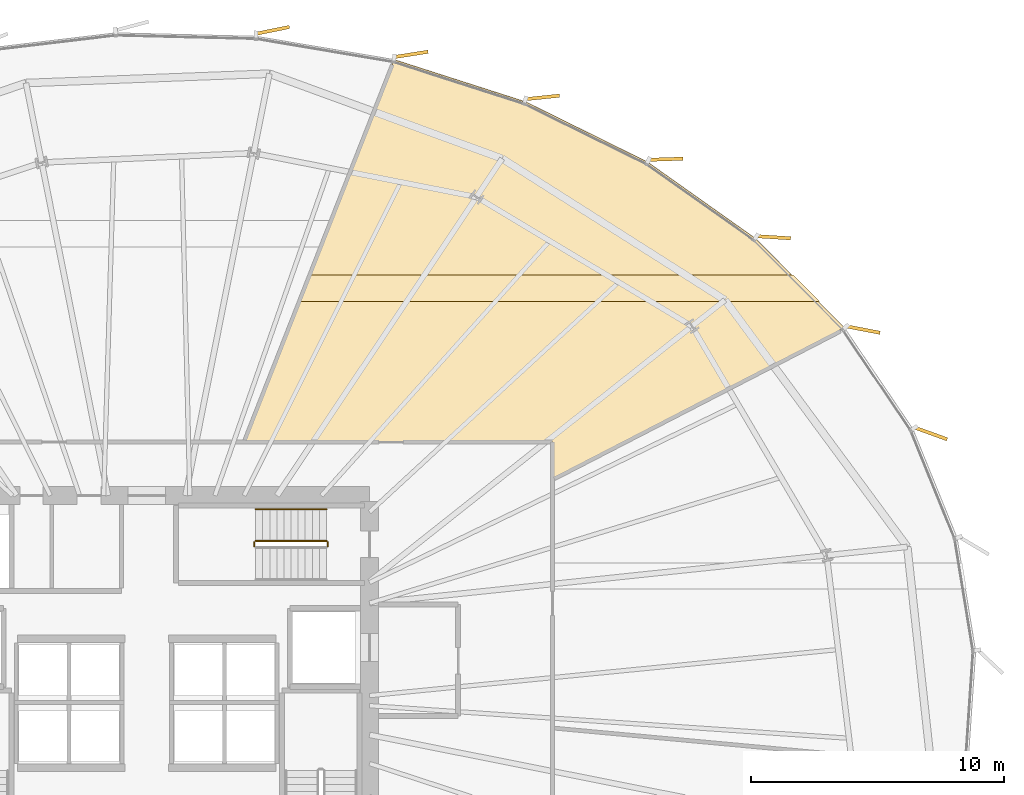
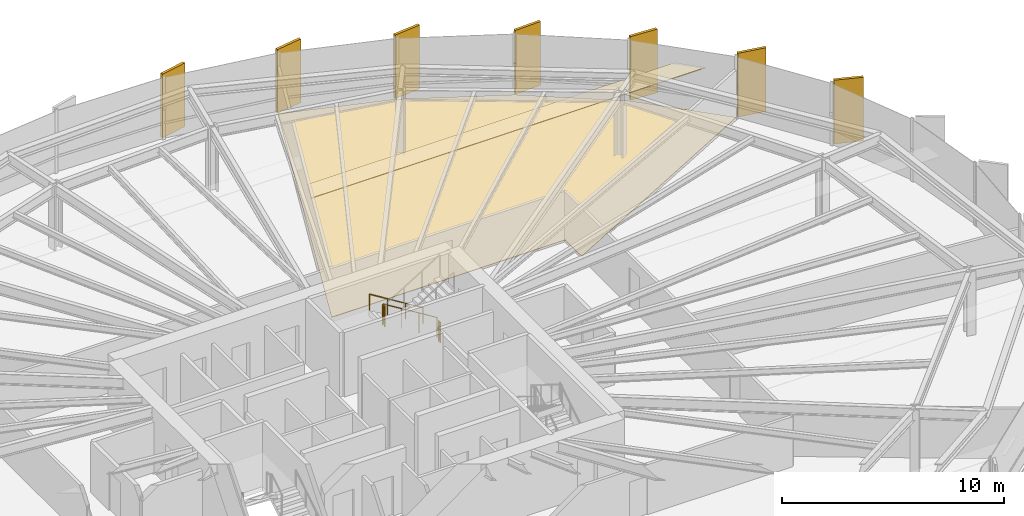
# One storey, part 38 of 39: 9 coverings, 4 railings.
"""IFC4 building model written with IfcOpenShell, lengths in metres."""

from ifc_helpers import new_model, si_unit, direction, frame, origin, origin_2d, place, context, subcontext, project, spatial, polyline, rectangle, circle, outline, extrude, source, transform, mapped, material, layer, layer_set, type_object, element, save


model = new_model("IFC4")

# Units and contexts
model_context = context("Model", 3, precision=1e-05, world=origin(), true_north=direction((0.0, 1.0)))
body_context = subcontext(model_context, "Body", "Model", "MODEL_VIEW")
ifc_project = project(units=[si_unit("LENGTHUNIT", "METRE"), si_unit("AREAUNIT", "SQUARE_METRE"), si_unit("VOLUMEUNIT", "CUBIC_METRE"), si_unit("PLANEANGLEUNIT", "RADIAN"), si_unit("MASSUNIT", "GRAM", prefix="KILO"), si_unit("THERMODYNAMICTEMPERATUREUNIT", "KELVIN")], contexts=[model_context])

# Site, building, storey
site_placement = place(None, origin())
site = spatial("IfcSite", under=ifc_project, at=site_placement, CompositionType="ELEMENT")
building_placement = place(site_placement, origin())
building = spatial("IfcBuilding", under=site, at=building_placement, Name="Kethvar Cultural Tower", CompositionType="ELEMENT")
storey_placement = place(building_placement, frame((0.0, 0.0, 41.0)))
storey = spatial("IfcBuildingStorey", under=building, at=storey_placement, Name="L09", CompositionType="ELEMENT", Elevation=41.0)

# Coverings
ifc_material_1 = material(Name="Acoustic Mineral Fibre Ceiling")
ifc_layer_1 = layer(ifc_material_1, 0.0400390625, Name="Acoustic Mineral Fibre Ceiling")
ifc_layer_set_1 = layer_set([ifc_layer_1], Name="Acoustic Mineral Fibre Ceiling (40 mm)")
covering_type_1 = type_object("IfcCoveringType", Name="CV-ACOUSTIC-CEIL", PredefinedType="CEILING", material=ifc_layer_set_1)
covering_1_placement = place(storey_placement, frame((0.0, 0.0, 2.449951171875)))
element("IfcCovering", 1, at=covering_1_placement, inside=storey, type_object=covering_type_1, Name="L09 Room 05 Acoustic Ceiling Panel", PredefinedType="CEILING", context=body_context, shape_type="SweptSolid", body=[
    extrude(outline(polyline([(73.365478515625, 43.17431640625), (52.7978515625, 43.17431640625), (53.201171875, 44.204345703125), (72.339599609375, 44.204345703125), (73.365478515625, 43.17431640625)])), origin(), (0.0, 0.0, 1.0), 0.0400390625),
])
ifc_material_2 = material(Name="Honed Warm Limestone", Category="masonry")
ifc_layer_2 = layer(ifc_material_2, 0.030029296875, Name="Honed Warm Limestone", Category="masonry")
ifc_layer_set_2 = layer_set([ifc_layer_2], Name="Honed Warm Limestone (30 mm)")
covering_type_2 = type_object("IfcCoveringType", Name="CV-STONE-FLOOR", PredefinedType="FLOORING", material=ifc_layer_set_2)
covering_2_placement = place(storey_placement, origin())
element("IfcCovering", 2, at=covering_2_placement, inside=storey, type_object=covering_type_2, Name="L09 Room 05 Floor Finish", PredefinedType="FLOORING", context=body_context, shape_type="SweptSolid", body=[
    extrude(outline(polyline([(56.576904296875, 52.717041015625), (61.77099609375, 51.050048828125), (66.58056640625, 48.673583984375), (70.82861328125, 45.664794921875), (74.34716796875, 42.132080078125), (62.85009765625, 36.159912109375), (62.83203125, 37.639892578125), (50.674072265625, 37.639892578125), (56.576904296875, 52.717041015625)])), origin(), (0.0, 0.0, 1.0), 0.030029296875),
])

# Railings
ifc_material_3 = material(Name="Steel S355J2", Category="steel")
railing_type_1 = type_object("IfcRailingType", Name="RL-STAIR-GUARD", PredefinedType="BALUSTRADE", material=ifc_material_3)
railing_1_placement = place(storey_placement, frame((53.89990234375, 33.7099609375, 0.172607421875)))
element("IfcRailing", 3, at=railing_1_placement, inside=storey, type_object=railing_type_1, Name="L09 ST-03 stair guard 1", PredefinedType="BALUSTRADE", context=body_context, shape_type="SweptSolid", body=[
    extrude(circle(Radius=0.02392578125, at=origin_2d()), frame((0.0, 0.0, 1.09619140625), z_axis=(-0.851069175582, 0.0, 0.525053576669), x_axis=(0.0, -1.0, 0.0)), (0.0, 0.0, 1.0), 3.289794921875),
    extrude(circle(Radius=0.02099609375, at=origin_2d()), origin(), (0.0, 0.0, 1.0), 1.072021484375),
    extrude(circle(Radius=0.02099609375, at=origin_2d()), frame((-0.933349609375, 0.0, 0.57568359375)), (0.0, 0.0, 1.0), 1.072021484375),
    extrude(circle(Radius=0.02099609375, at=origin_2d()), frame((-1.866455078125, 0.0, 1.151611328125)), (0.0, 0.0, 1.0), 1.072021484375),
    extrude(circle(Radius=0.02099609375, at=origin_2d()), frame((-2.7998046875, 0.0, 1.727294921875)), (0.0, 0.0, 1.0), 1.072021484375),
])
for number, where, name in (
    (4, (51.050048828125, 33.659912109375, 1.89990234375), "L09 ST-03 stair guard 2"),
    (5, (53.949951171875, 33.659912109375, 0.0), "L09 ST-03 stair guard 4"),
):
    element("IfcRailing", number, at=place(storey_placement, frame(where)), inside=storey, type_object=railing_type_1, Name=name, PredefinedType="BALUSTRADE", context=body_context, shape_type="SweptSolid", body=[
        extrude(circle(Radius=0.02392578125, at=origin_2d()), frame((0.0, 0.0, 1.09619140625), z_axis=(0.0, -1.0, 0.0), x_axis=(1.0, 0.0, 0.0)), (0.0, 0.0, 1.0), 0.159912109375),
        extrude(circle(Radius=0.02099609375, at=origin_2d()), origin(), (0.0, 0.0, 1.0), 1.072021484375),
        extrude(circle(Radius=0.02099609375, at=origin_2d()), frame((0.0, -0.159912109375, 0.0)), (0.0, 0.0, 1.0), 1.072021484375),
    ])
railing_type_2 = type_object("IfcRailingType", Name="RL-STAIR-HANDRAIL", PredefinedType="HANDRAIL", material=ifc_material_3)
railing_2_placement = place(storey_placement, frame((53.89990234375, 34.9599609375, 0.172607421875)))
element("IfcRailing", 6, at=railing_2_placement, inside=storey, type_object=railing_type_2, Name="L09 ST-03 stair handrail 1", PredefinedType="HANDRAIL", context=body_context, shape_type="SweptSolid", body=[
    extrude(circle(Radius=0.02392578125, at=origin_2d()), frame((0.0, 0.0, 0.8759765625), z_axis=(-0.851069175582, 0.0, 0.525053576669), x_axis=(0.0, -1.0, 0.0)), (0.0, 0.0, 1.0), 3.289794921875),
    extrude(circle(Radius=0.02099609375, at=origin_2d()), origin(), (0.0, 0.0, 1.0), 0.851806640625),
    extrude(circle(Radius=0.02099609375, at=origin_2d()), frame((-0.933349609375, 0.0, 0.57568359375)), (0.0, 0.0, 1.0), 0.851806640625),
    extrude(circle(Radius=0.02099609375, at=origin_2d()), frame((-1.866455078125, 0.0, 1.151611328125)), (0.0, 0.0, 1.0), 0.851806640625),
    extrude(circle(Radius=0.02099609375, at=origin_2d()), frame((-2.7998046875, 0.0, 1.727294921875)), (0.0, 0.0, 1.0), 0.851806640625),
])

# Coverings
ifc_material_4 = material(Name="Extruded Architectural Terracotta", Category="masonry")
ifc_layer_3 = layer(ifc_material_4, 0.135009765625, Name="Extruded Architectural Terracotta", Category="masonry")
ifc_layer_set_3 = layer_set([ifc_layer_3], Name="Extruded Architectural Terracotta (135 mm)")
covering_type_3 = type_object("IfcCoveringType", Name="Terracotta Facade Fin FIN-01", PredefinedType="CLADDING", material=ifc_layer_set_3)
shared_shape = source(origin(), body_context, "Body", "SweptSolid", [
    extrude(rectangle(XDim=1.35009765625, YDim=0.135009765625, at=origin_2d()), origin(), (0.0, 0.0, 1.0), 3.510009765625),
])
for number, where, z_axis, x_axis, name in (
    (7, (77.77685546875, 37.953369140625, 0.02001953125), (0.0, 0.0, 1.0), (0.94028812701, -0.340379550213, 0.0), "L09 Vertical Terracotta Fin 1.3"),
    (8, (75.10009765625, 42.056884765625, 0.02001953125), (0.0, 0.0, 1.0), (0.982254531559, -0.187552753198, 0.0), "L09 Vertical Terracotta Fin 1.4"),
    (9, (71.5615234375, 45.703125, 0.02001953125), (0.0, 0.0, 1.0), (0.99803767224, -0.06261633005, 0.0), "L09 Vertical Terracotta Fin 1.5"),
    (10, (67.30078125, 48.784912109375, 0.02001953125), (0.0, 0.0, 1.0), (0.999450215942, 0.033155178389, 0.0), "L09 Vertical Terracotta Fin 1.6"),
    (11, (62.43408203125, 51.227294921875, 0.02001953125), (0.0, 0.0, 1.0), (0.994684861285, 0.102966143613, 0.0), "L09 Vertical Terracotta Fin 2.1"),
    (12, (57.2451171875, 52.92578125, 0.02001953125), (0.0, 0.0, 1.0), (0.987851616793, 0.155400074643, 0.0), "L09 Vertical Terracotta Fin 2.2"),
    (13, (51.775390625, 53.875, 0.02001953125), (0.0, 0.0, 1.0), (0.979820181493, 0.19988099444, 0.0), "L09 Vertical Terracotta Fin 2.3"),
):
    element("IfcCovering", number, at=place(storey_placement, frame(where, z_axis=z_axis, x_axis=x_axis)), inside=storey, type_object=covering_type_3, Name=name, PredefinedType="CLADDING", context=body_context, shape_type="MappedRepresentation", body=[
        mapped(shared_shape, transform((0.0, 0.0, 0.0), scale=1.0)),
    ])

save(model, "model.ifc")
